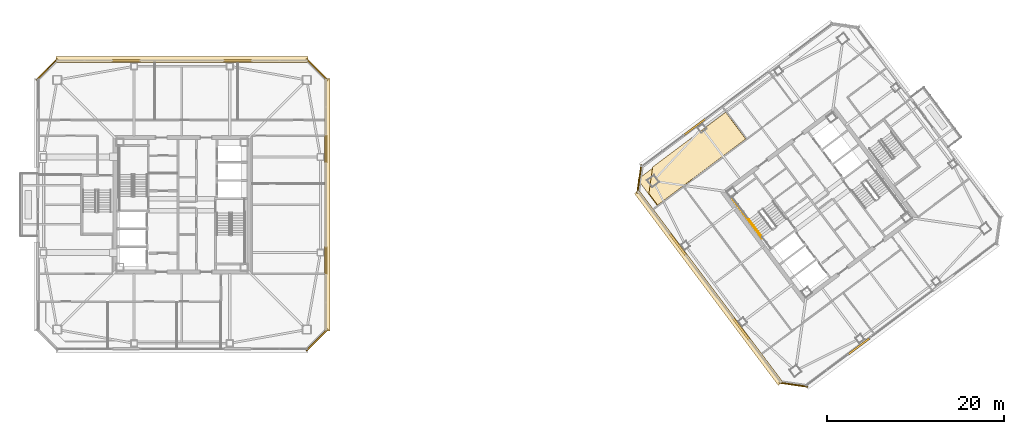
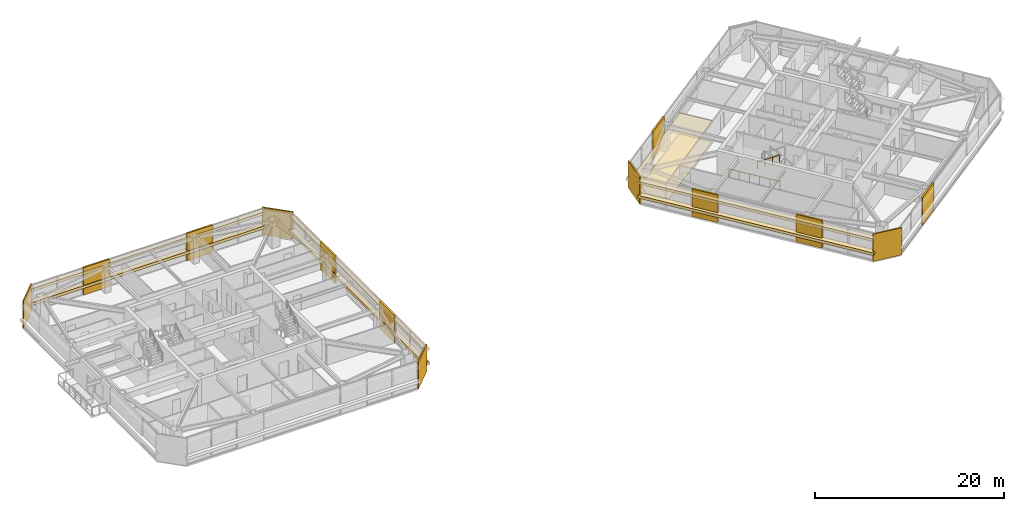
# One storey, part 36 of 39: 21 coverings, 2 railings.
"""IFC4 building model written with IfcOpenShell, lengths in metres."""

import ifcopenshell
import ifcopenshell.guid

model = None  # the IFC model being written
_history = None  # IfcOwnerHistory: only IFC2X3 demands one
_inside = {}  # id of a spatial element -> (the spatial element, [elements in it])
_under = {}  # id of a project, library or spatial element -> (it, [spatial elements below it])
_declared = {}  # id of a project -> (the project, [libraries it declares])
_typed = {}  # id of a type object -> (the type object, [elements of that type])
_made_of = {}  # id of a material, layer set ... -> (it, [elements and type objects made of it])


def new_model(schema):
    """Start an empty IFC model of exactly this schema.

    Asked for "IFC4X3", IfcOpenShell would pick the latest addendum, in which some entities
    have other attributes; the version numbers below select the first issue.
    IFC2X3 requires an IfcOwnerHistory on every rooted entity: one is made here for all.
    """
    global model, _history
    if schema == "IFC4X3":
        model = ifcopenshell.file(schema_version=(4, 3, 0, 0))
    else:
        model = ifcopenshell.file(schema=schema)
    _inside.clear()
    _under.clear()
    _declared.clear()
    _typed.clear()
    _made_of.clear()
    _history = None
    if model.schema == "IFC2X3":
        org = make("IfcOrganization", Name="unknown")
        user = make(
            "IfcPersonAndOrganization",
            ThePerson=make("IfcPerson", FamilyName="unknown"),
            TheOrganization=org,
        )
        app = make(
            "IfcApplication",
            ApplicationDeveloper=org,
            Version="unknown",
            ApplicationFullName="unknown",
            ApplicationIdentifier="unknown",
        )
        _history = make(
            "IfcOwnerHistory",
            OwningUser=user,
            OwningApplication=app,
            ChangeAction="ADDED",
            CreationDate=0,
        )
    return model


def make(cls, **values):
    """One entity of the class cls with the attributes given. An attribute that is None is left unset."""
    return model.create_entity(
        cls, **{name: value for name, value in values.items() if value is not None}
    )


def rooted(cls, **values):
    """An entity with a GlobalId (a new one), such as an element, a storey or a relation."""
    return make(cls, GlobalId=ifcopenshell.guid.new(), OwnerHistory=_history, **values)


def si_unit(unit_type, name, prefix=None):
    """IfcSIUnit, for example si_unit("LENGTHUNIT", "METRE", prefix="MILLI")."""
    return make("IfcSIUnit", UnitType=unit_type, Prefix=prefix, Name=name)


def assignment(units):
    """IfcUnitAssignment: the units of a project."""
    return None if units is None else make("IfcUnitAssignment", Units=units)


def point(xyz):
    """IfcCartesianPoint."""
    return None if xyz is None else make("IfcCartesianPoint", Coordinates=xyz)


def direction(xyz):
    """IfcDirection."""
    return None if xyz is None else make("IfcDirection", DirectionRatios=xyz)


def frame(location, z_axis=None, x_axis=None):
    """IfcAxis2Placement3D, a coordinate frame: its origin and axes. An axis left out is left unset."""
    return make(
        "IfcAxis2Placement3D",
        Location=point(location),
        Axis=direction(z_axis),
        RefDirection=direction(x_axis),
    )


def frame_2d(location, x_axis=None):
    """IfcAxis2Placement2D, a coordinate frame in the plane: its origin and x axis."""
    return make(
        "IfcAxis2Placement2D", Location=point(location), RefDirection=direction(x_axis)
    )


def origin():
    """The frame at (0, 0, 0) with its axes left unset."""
    return frame((0.0, 0.0, 0.0))


def origin_2d():
    """The frame at (0, 0) in the plane with its x axis left unset."""
    return frame_2d((0.0, 0.0))


def place(relative_to, where):
    """IfcLocalPlacement: puts the frame where relative to a parent placement (None: the world)."""
    return make(
        "IfcLocalPlacement", PlacementRelTo=relative_to, RelativePlacement=where
    )


def context(
    kind, dimensions, precision=None, world=None, true_north=None, identifier=None
):
    """IfcGeometricRepresentationContext, for example the 3D "Model" context."""
    return make(
        "IfcGeometricRepresentationContext",
        ContextIdentifier=identifier,
        ContextType=kind,
        CoordinateSpaceDimension=dimensions,
        Precision=precision,
        WorldCoordinateSystem=world,
        TrueNorth=true_north,
    )


def subcontext(parent, identifier, kind, view, scale=None):
    """IfcGeometricRepresentationSubContext, for example "Body" below "Model"."""
    return make(
        "IfcGeometricRepresentationSubContext",
        ContextIdentifier=identifier,
        ContextType=kind,
        ParentContext=parent,
        TargetScale=scale,
        TargetView=view,
    )


def project(units=None, contexts=None):
    """IfcProject with its units and contexts."""
    return rooted(
        "IfcProject",
        Name="project",
        RepresentationContexts=contexts,
        UnitsInContext=assignment(units),
    )


def spatial(cls, under=None, at=None, **own):
    """A site, building, storey or space (cls), placed at a placement, below another one or the project."""
    s = rooted(cls, ObjectPlacement=at, **own)
    if under is not None:
        _under.setdefault(under.id(), (under, []))[1].append(s)
    return s


def polyline(points):
    """IfcPolyline through the points."""
    return make("IfcPolyline", Points=[point(p) for p in points])


def profile(cls, at=None, kind="AREA", **sizes):
    """A parametric profile (cls). Its sizes go by their IFC names, for example OverallWidth=200.0."""
    return make(cls, ProfileType=kind, Position=at, **sizes)


def rectangle(**sizes):
    """IfcRectangleProfileDef."""
    return profile("IfcRectangleProfileDef", **sizes)


def outline(outer, holes=None, kind="AREA"):
    """IfcArbitraryClosedProfileDef: a profile drawn as a closed curve; with holes, ...WithVoids."""
    if holes is None:
        return make("IfcArbitraryClosedProfileDef", ProfileType=kind, OuterCurve=outer)
    return make(
        "IfcArbitraryProfileDefWithVoids",
        ProfileType=kind,
        OuterCurve=outer,
        InnerCurves=holes,
    )


def extrude(swept, where, along, depth):
    """IfcExtrudedAreaSolid: the profile swept, set in the frame where, extruded along a direction by depth."""
    return make(
        "IfcExtrudedAreaSolid",
        SweptArea=swept,
        Position=where,
        ExtrudedDirection=direction(along),
        Depth=depth,
    )


def shape(context_of_items, identifier, shape_type, items):
    """IfcShapeRepresentation: the items that make up one representation, for example the "Body"."""
    return make(
        "IfcShapeRepresentation",
        ContextOfItems=context_of_items,
        RepresentationIdentifier=identifier,
        RepresentationType=shape_type,
        Items=items,
    )


def material(Name=None, Category=None):
    """IfcMaterial."""
    return make("IfcMaterial", Name=Name, Category=Category)


def layer(
    of_material, thickness, ventilated=None, Name=None, Category=None, Priority=None
):
    """IfcMaterialLayer: one layer of a wall or slab, of a material (None: an air gap)."""
    return make(
        "IfcMaterialLayer",
        Material=of_material,
        LayerThickness=thickness,
        IsVentilated=ventilated,
        Name=Name,
        Category=Category,
        Priority=Priority,
    )


def layer_set(layers, Name=None):
    """IfcMaterialLayerSet."""
    return make("IfcMaterialLayerSet", MaterialLayers=layers, LayerSetName=Name)


def made_of(thing, what):
    """Note that an element or type object is made of a material, layer set ...; save() writes the relation."""
    if what is not None:
        _made_of.setdefault(what.id(), (what, []))[1].append(thing)
    return thing


def type_object(cls, material=None, **own):
    """A type object (cls), such as IfcWallType, which elements share."""
    return made_of(rooted(cls, **own), material)


def element(
    cls,
    number,
    at=None,
    inside=None,
    cuts=None,
    type_object=None,
    material=None,
    context=None,
    identifier="Body",
    shape_type=None,
    held_by="IfcProductDefinitionShape",
    body=None,
    shapes=None,
    **own,
):
    """One element of the class cls, such as IfcWall. Its Tag is "e" and its number.

    at: its placement. inside: the storey or other place that contains it. cuts: it is an
    opening in that element (IfcRelVoidsElement). A single representation is given by context,
    identifier, shape_type and body (its items); several are given by shapes. held_by: the class
    of the entity that holds the representations. save() writes the other relations.
    """
    e = rooted(cls, Tag="e%d" % number, ObjectPlacement=at, **own)
    if body is not None:
        shapes = [shape(context, identifier, shape_type, body)]
    if shapes is not None:
        e.Representation = make(held_by, Representations=shapes)
    if inside is not None:
        _inside.setdefault(inside.id(), (inside, []))[1].append(e)
    if cuts is not None:
        rooted(
            "IfcRelVoidsElement", RelatingBuildingElement=cuts, RelatedOpeningElement=e
        )
    if type_object is not None:
        _typed.setdefault(type_object.id(), (type_object, []))[1].append(e)
    return made_of(e, material)


def aggregate(whole, parts):
    """IfcRelAggregates: a whole, such as a stair, and the parts it consists of."""
    return rooted("IfcRelAggregates", RelatingObject=whole, RelatedObjects=parts)


def save(model, path):
    """Write the relations noted so far, then the file.

    IfcRelAggregates (storeys below a building ...), IfcRelContainedInSpatialStructure (elements
    in a storey), IfcRelDefinesByType, IfcRelAssociatesMaterial and IfcRelDeclares: one each for
    every whole, place, type object, material and project.
    """
    for whole, parts in _under.values():
        aggregate(whole, parts)
    for where, things in _inside.values():
        rooted(
            "IfcRelContainedInSpatialStructure",
            RelatedElements=things,
            RelatingStructure=where,
        )
    for kind, things in _typed.values():
        rooted("IfcRelDefinesByType", RelatedObjects=things, RelatingType=kind)
    for what, things in _made_of.values():
        rooted("IfcRelAssociatesMaterial", RelatedObjects=things, RelatingMaterial=what)
    for by, libraries in _declared.values():
        rooted("IfcRelDeclares", RelatingContext=by, RelatedDefinitions=libraries)
    model.write(path)


model = new_model("IFC4")

# Units and contexts
model_context = context("Model", 3, precision=1e-05, world=origin(), true_north=direction((0.0, 1.0)))
body_context = subcontext(model_context, "Body", "Model", "MODEL_VIEW")
ifc_project = project(units=[si_unit("LENGTHUNIT", "METRE"), si_unit("AREAUNIT", "SQUARE_METRE"), si_unit("VOLUMEUNIT", "CUBIC_METRE"), si_unit("PLANEANGLEUNIT", "RADIAN"), si_unit("MASSUNIT", "GRAM", prefix="KILO")], contexts=[model_context])

# Site, building, storey
site_placement = place(None, origin())
site = spatial("IfcSite", under=ifc_project, at=site_placement, CompositionType="ELEMENT")
building_placement = place(site_placement, origin())
building = spatial("IfcBuilding", under=site, at=building_placement, Name="Tashvorn Skyway Center", CompositionType="ELEMENT")
storey_placement = place(building_placement, frame((0.0, 0.0, 214.85009765625)))
storey = spatial("IfcBuildingStorey", under=building, at=storey_placement, Name="L58", CompositionType="ELEMENT", Elevation=214.85009765625)

# Coverings
ifc_material_1 = material(Name="Precast concrete C40/50", Category="concrete")
ifc_layer_1 = layer(ifc_material_1, 0.199951171875)
ifc_layer_set_1 = layer_set([ifc_layer_1], Name="Precast concrete C40/50")
covering_type_1 = type_object("IfcCoveringType", Name="COV-BRACE-CLAD", PredefinedType="CLADDING", material=ifc_layer_set_1)
for number, where, z_axis, x_axis, name in (
    (1, (35.69775390625, 48.280029296875, 0.0), (0.0, 0.0, 1.0), (1.0, 0.0, 0.0), "Tower 1 L58 North Unitised Curtain Wall Mega-Brace Cladding Band 1"),
    (2, (48.30224609375, 48.280029296875, 0.0), (0.0, 0.0, 1.0), (1.0, 0.0, 0.0), "Tower 1 L58 North Unitised Curtain Wall Mega-Brace Cladding Band 2"),
    (3, (58.280029296875, 38.30224609375, 0.0), (0.0, 0.0, 1.0), (0.0, -1.0, 0.0), "Tower 1 L58 East Unitised Curtain Wall Mega-Brace Cladding Band 1"),
    (4, (58.280029296875, 25.69775390625, 0.0), (0.0, 0.0, 1.0), (0.0, -1.0, 0.0), "Tower 1 L58 East Unitised Curtain Wall Mega-Brace Cladding Band 2"),
):
    element("IfcCovering", number, at=place(storey_placement, frame(where, z_axis=z_axis, x_axis=x_axis)), inside=storey, type_object=covering_type_1, Name=name, PredefinedType="CLADDING", context=body_context, shape_type="SweptSolid", body=[
        extrude(rectangle(XDim=3.151123046875, YDim=0.199951171875, at=origin_2d()), origin(), (0.0, 0.0, 1.0), 3.550048828125),
    ])
for number, where, z_axis, x_axis, name in (
    (5, (118.4951171875, 16.021240234375, 0.0), (0.0, 0.0, 1.0), (-0.799999996291, -0.600000004945, 0.0), "Tower 2 L58 South Unitised Curtain Wall Mega-Brace Cladding Band 2"),
    (6, (105.210693359375, 17.919189453125, 0.0), (0.0, 0.0, 1.0), (-0.600000004945, 0.799999996291, 0.0), "Tower 2 L58 West Unitised Curtain Wall Mega-Brace Cladding Band 1"),
    (7, (98.021240234375, 27.5048828125, 0.0), (0.0, 0.0, 1.0), (-0.600000004945, 0.799999996291, 0.0), "Tower 2 L58 West Unitised Curtain Wall Mega-Brace Cladding Band 2"),
    (8, (99.919189453125, 40.789306640625, 0.0), (0.0, 0.0, 1.0), (0.799999996291, 0.600000004945, 0.0), "Tower 2 L58 North Unitised Curtain Wall Mega-Brace Cladding Band 1"),
):
    element("IfcCovering", number, at=place(storey_placement, frame(where, z_axis=z_axis, x_axis=x_axis)), inside=storey, type_object=covering_type_1, Name=name, PredefinedType="CLADDING", context=body_context, shape_type="SweptSolid", body=[
        extrude(rectangle(XDim=2.99560546875, YDim=0.199951171875, at=origin_2d()), origin(), (0.0, 0.0, 1.0), 3.550048828125),
    ])
ifc_material_2 = material(Name="Mineral-fibre acoustic ceiling tile on suspended grid")
ifc_layer_2 = layer(ifc_material_2, 0.02001953125)
ifc_layer_set_2 = layer_set([ifc_layer_2], Name="Mineral-fibre acoustic ceiling tile on suspended grid")
covering_type_2 = type_object("IfcCoveringType", Name="COV-CEIL-20", PredefinedType="CEILING", material=ifc_layer_set_2)
covering_1_placement = place(storey_placement, frame((0.0, 0.0, 2.702880859375)))
element("IfcCovering", 9, at=covering_1_placement, inside=storey, type_object=covering_type_2, Name="Tower 2 L58 Conference Room Acoustic Ceiling", PredefinedType="CEILING", context=body_context, shape_type="SweptSolid", body=[
    extrude(outline(polyline([(95.72998046875, 31.860107421875), (105.81005859375, 39.419921875), (103.56005859375, 42.419921875), (93.47998046875, 34.860107421875), (95.72998046875, 31.860107421875)])), origin(), (0.0, 0.0, 1.0), 0.02001953125),
])
ifc_material_3 = material(Name="Polished Mojave desert-aggregate terrazzo and cover plate")
ifc_layer_3 = layer(ifc_material_3, 0.0400390625)
ifc_layer_set_3 = layer_set([ifc_layer_3], Name="Polished Mojave desert-aggregate terrazzo and cover plate")
covering_type_3 = type_object("IfcCoveringType", Name="COV-FLR-40", PredefinedType="FLOORING", material=ifc_layer_set_3)
covering_2_placement = place(storey_placement, origin())
element("IfcCovering", 10, at=covering_2_placement, inside=storey, type_object=covering_type_3, Name="Tower 2 L58 Conference Room Finish Flooring", PredefinedType="FLOORING", context=body_context, shape_type="SweptSolid", body=[
    extrude(outline(polyline([(105.697998046875, 39.43603515625), (95.74609375, 31.971923828125), (94.756103515625, 33.2919921875), (95.179931640625, 36.260009765625), (103.43603515625, 42.451904296875), (105.697998046875, 39.43603515625)])), origin(), (0.0, 0.0, 1.0), 0.039794921875),
])
ifc_material_4 = material(Name="Perforated ceramic-coated bronze aluminium solar screen", Category="aluminium")
ifc_layer_4 = layer(ifc_material_4, 0.85009765625)
ifc_layer_set_4 = layer_set([ifc_layer_4], Name="Perforated ceramic-coated bronze aluminium solar screen")
covering_type_4 = type_object("IfcCoveringType", Name="COV-SOLAR-BAND", PredefinedType="CLADDING", material=ifc_layer_set_4)
for number, where, z_axis, x_axis, name in (
    (11, (42.0, 48.419921875, 0.919921875), (0.0, 0.0, 1.0), (1.0, 0.0, 0.0), "L58 Perforated Ceramic-Metal Solar Screen Louvre Band North 1"),
    (12, (42.0, 48.419921875, 2.7197265625), (0.0, 0.0, 1.0), (1.0, 0.0, 0.0), "L58 Perforated Ceramic-Metal Solar Screen Louvre Band North 2"),
    (13, (58.419921875, 32.0, 0.919921875), (0.0, 0.0, 1.0), (0.0, -1.0, 0.0), "L58 Perforated Ceramic-Metal Solar Screen Louvre Band East 1"),
    (14, (58.419921875, 32.0, 2.7197265625), (0.0, 0.0, 1.0), (0.0, -1.0, 0.0), "L58 Perforated Ceramic-Metal Solar Screen Louvre Band East 2"),
):
    element("IfcCovering", number, at=place(storey_placement, frame(where, z_axis=z_axis, x_axis=x_axis)), inside=storey, type_object=covering_type_4, Name=name, PredefinedType="CLADDING", context=body_context, shape_type="SweptSolid", body=[
        extrude(rectangle(XDim=28.47998046875, YDim=0.639892578125, at=origin_2d()), origin(), (0.0, 0.0, 1.0), 0.360107421875),
    ])
for number, where, z_axis, x_axis, name in (
    (15, (101.50390625, 22.6279296875, 0.919921875), (0.0, 0.0, 1.0), (-0.600000004945, 0.799999996291, 0.0), "L58 Perforated Ceramic-Metal Solar Screen Louvre Band West 1"),
    (16, (101.50390625, 22.6279296875, 2.7197265625), (0.0, 0.0, 1.0), (-0.600000004945, 0.799999996291, 0.0), "L58 Perforated Ceramic-Metal Solar Screen Louvre Band West 2"),
):
    element("IfcCovering", number, at=place(storey_placement, frame(where, z_axis=z_axis, x_axis=x_axis)), inside=storey, type_object=covering_type_4, Name=name, PredefinedType="CLADDING", context=body_context, shape_type="SweptSolid", body=[
        extrude(rectangle(XDim=27.080078125, YDim=0.639892578125, at=origin_2d()), origin(), (0.0, 0.0, 1.0), 0.360107421875),
    ])
ifc_layer_5 = layer(ifc_material_1, 0.35009765625)
ifc_layer_set_5 = layer_set([ifc_layer_5], Name="Precast concrete C40/50")
covering_type_5 = type_object("IfcCoveringType", Name="COV-STONE-TRIM", PredefinedType="CLADDING", material=ifc_layer_set_5)
for number, where, z_axis, x_axis, name in (
    (17, (26.72998046875, 47.27001953125, 0.02001953125), (0.0, 0.0, 1.0), (-0.707106781187, -0.707106781187, 0.0), "Tower 1 L58 NW Mojave Limestone Corner Quoin"),
    (18, (57.27001953125, 47.27001953125, 0.02001953125), (0.0, 0.0, 1.0), (0.707106781187, -0.707106781187, 0.0), "Tower 1 L58 NE Mojave Limestone Corner Quoin"),
    (19, (57.27001953125, 16.72998046875, 0.02001953125), (0.0, 0.0, 1.0), (0.707106781187, 0.707106781187, 0.0), "Tower 1 L58 SE Mojave Limestone Corner Quoin"),
):
    element("IfcCovering", number, at=place(storey_placement, frame(where, z_axis=z_axis, x_axis=x_axis)), inside=storey, type_object=covering_type_5, Name=name, PredefinedType="CLADDING", context=body_context, shape_type="SweptSolid", body=[
        extrude(rectangle(XDim=3.41259765625, YDim=0.139892578125, at=origin_2d()), origin(), (0.0, 0.0, 1.0), 3.510009765625),
    ])
for number, where, z_axis, x_axis, name in (
    (20, (111.095947265625, 11.672119140625, 0.02001953125), (0.0, 0.0, 1.0), (-0.989949494535, 0.141421350118, 0.0), "Tower 2 L58 SW Mojave Limestone Corner Quoin"),
    (21, (93.672119140625, 34.904052734375, 0.02001953125), (0.0, 0.0, 1.0), (-0.141421350118, -0.989949494535, 0.0), "Tower 2 L58 NW Mojave Limestone Corner Quoin"),
):
    element("IfcCovering", number, at=place(storey_placement, frame(where, z_axis=z_axis, x_axis=x_axis)), inside=storey, type_object=covering_type_5, Name=name, PredefinedType="CLADDING", context=body_context, shape_type="SweptSolid", body=[
        extrude(rectangle(XDim=3.271240234375, YDim=0.139892578125, at=origin_2d()), origin(), (0.0, 0.0, 1.0), 3.510009765625),
    ])

# Railings
ifc_material_5 = material(Name="Brushed stainless steel 316", Category="steel")
railing_type_1 = type_object("IfcRailingType", Name="RAIL-HAND-920", PredefinedType="HANDRAIL", material=ifc_material_5)
railing_1_placement = place(storey_placement, frame((106.072021484375, 30.35400390625, 1.952392578125)))
element("IfcRailing", 22, at=railing_1_placement, inside=storey, type_object=railing_type_1, Name="L58 ST-T2-1 stair handrail 2", PredefinedType="HANDRAIL", context=body_context, shape_type="SweptSolid", body=[
    extrude(rectangle(XDim=0.048095703125, YDim=0.048095703125, at=origin_2d()), frame((0.0, 0.0, 0.8759765625), z_axis=(0.506740800098, -0.675708949977, 0.535379469569), x_axis=(0.800023250257, 0.599968998406, 0.0)), (0.0, 0.0, 1.0), 2.983642578125),
    extrude(rectangle(XDim=0.0419921875, YDim=0.0419921875, at=origin_2d()), origin(), (0.0, 0.0, 1.0), 0.851806640625),
    extrude(rectangle(XDim=0.0419921875, YDim=0.0419921875, at=origin_2d()), frame((0.50390625, -0.672119140625, 0.532470703125)), (0.0, 0.0, 1.0), 0.851806640625),
    extrude(rectangle(XDim=0.0419921875, YDim=0.0419921875, at=origin_2d()), frame((1.008056640625, -1.343994140625, 1.06494140625)), (0.0, 0.0, 1.0), 0.851806640625),
    extrude(rectangle(XDim=0.0419921875, YDim=0.0419921875, at=origin_2d()), frame((1.511962890625, -2.01611328125, 1.597412109375)), (0.0, 0.0, 1.0), 0.851806640625),
])
ifc_material_6 = material(Name="Painted galvanized steel S355", Category="steel")
railing_type_2 = type_object("IfcRailingType", Name="RAIL-STGUARD-1100", PredefinedType="GUARDRAIL", material=ifc_material_6)
railing_2_placement = place(storey_placement, frame((107.56396484375, 28.197998046875, 0.0)))
element("IfcRailing", 23, at=railing_2_placement, inside=storey, type_object=railing_type_2, Name="L58 ST-T2-1 stair guard 7", PredefinedType="GUARDRAIL", context=body_context, shape_type="SweptSolid", body=[
    extrude(rectangle(XDim=0.048095703125, YDim=0.048095703125, at=origin_2d()), frame((0.0, 0.0, 1.076171875), z_axis=(-0.6, 0.8, 0.0), x_axis=(-0.8, -0.6, 0.0)), (0.0, 0.0, 1.0), 5.880126953125),
    extrude(rectangle(XDim=0.0419921875, YDim=0.0419921875, at=origin_2d()), origin(), (0.0, 0.0, 1.0), 1.052001953125),
    extrude(rectangle(XDim=0.0419921875, YDim=0.0419921875, at=origin_2d()), frame((-0.70556640625, 0.94091796875, 0.0)), (0.0, 0.0, 1.0), 1.052001953125),
    extrude(rectangle(XDim=0.0419921875, YDim=0.0419921875, at=origin_2d()), frame((-1.4111328125, 1.881591796875, 0.0)), (0.0, 0.0, 1.0), 1.052001953125),
    extrude(rectangle(XDim=0.0419921875, YDim=0.0419921875, at=origin_2d()), frame((-2.116943359375, 2.822509765625, 0.0)), (0.0, 0.0, 1.0), 1.052001953125),
    extrude(rectangle(XDim=0.0419921875, YDim=0.0419921875, at=origin_2d()), frame((-2.822509765625, 3.76318359375, 0.0)), (0.0, 0.0, 1.0), 1.052001953125),
    extrude(rectangle(XDim=0.0419921875, YDim=0.0419921875, at=origin_2d()), frame((-3.528076171875, 4.7041015625, 0.0)), (0.0, 0.0, 1.0), 1.052001953125),
])

save(model, "model.ifc")
